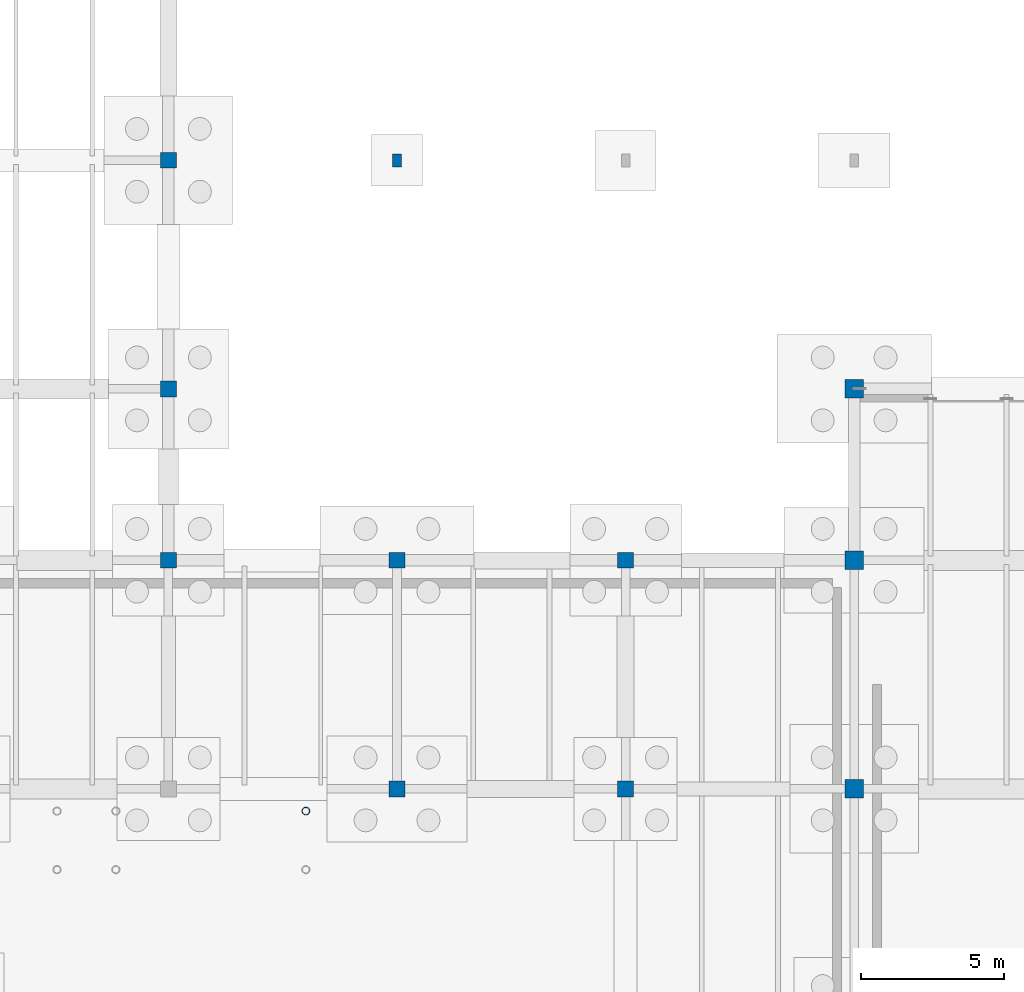
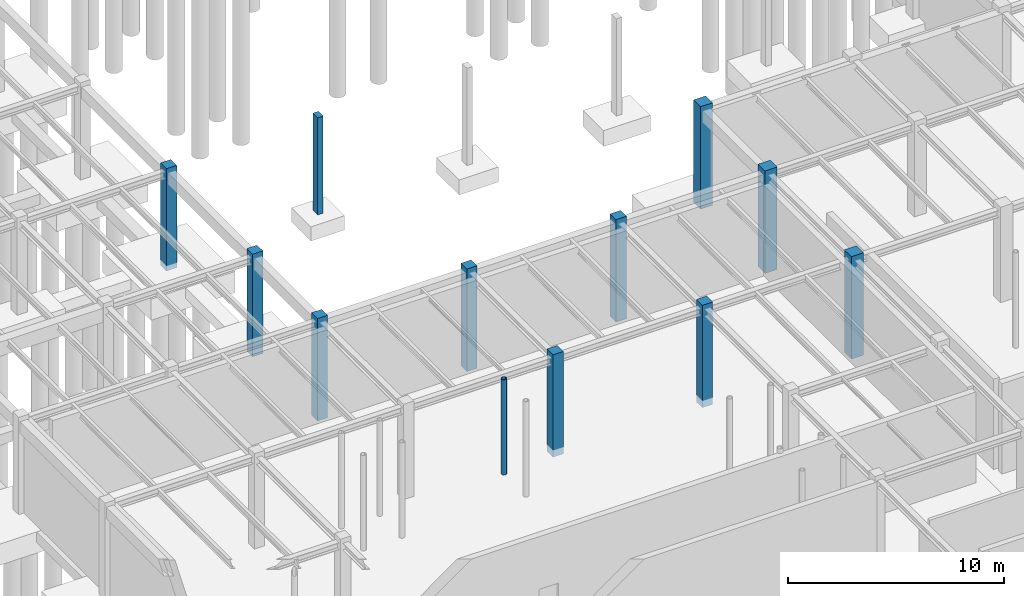
# One storey, part 17 of 71: 12 columns.
"""IFC4 building model written with IfcOpenShell, lengths in metres."""

from ifc_helpers import new_model, si_unit, direction, frame, origin, origin_2d, place, context, subcontext, project, spatial, rectangle, hollow_circle, extrude, material, material_profile, profile_set, type_object, element, save


model = new_model("IFC4")

# Units and contexts
model_context = context("Model", 3, precision=1e-05, world=origin(), true_north=direction((0.0, 1.0)))
body_context = subcontext(model_context, "Body", "Model", "MODEL_VIEW")
ifc_project = project(units=[si_unit("LENGTHUNIT", "METRE"), si_unit("AREAUNIT", "SQUARE_METRE"), si_unit("VOLUMEUNIT", "CUBIC_METRE"), si_unit("PLANEANGLEUNIT", "RADIAN"), si_unit("MASSUNIT", "GRAM", prefix="KILO")], contexts=[model_context])

# Site, building, storey
site_placement = place(None, origin())
site = spatial("IfcSite", under=ifc_project, at=site_placement, CompositionType="ELEMENT")
building_placement = place(site_placement, origin())
building = spatial("IfcBuilding", under=site, at=building_placement, Name="Sundkrona Museum", CompositionType="ELEMENT")
storey_placement = place(building_placement, frame((0.0, 0.0, -5.39990234375)))
storey = spatial("IfcBuildingStorey", under=building, at=storey_placement, Name="B1", CompositionType="ELEMENT", Elevation=-5.39990234375)

# Columns
ifc_material_1 = material(Name="Steel S355J2", Category="steel")
ifc_material_profile_1 = material_profile(ifc_material_1, hollow_circle(Radius=0.136474609375, WallThickness=0.012451171875, at=origin_2d()), Name="CHS 273.0x12.5")
ifc_profile_set_1 = profile_set([ifc_material_profile_1], Name="Steel S355J2")
column_type_1 = type_object("IfcColumnType", Name="C-CHS273", PredefinedType="COLUMN", material=ifc_profile_set_1)
column_1_placement = place(storey_placement, frame((100.81005859375, 31.22509765625, 0.0), z_axis=(0.0, 0.0, 1.0), x_axis=(1.0, 0.0, 0.0)))
element("IfcColumn", 1, at=column_1_placement, inside=storey, type_object=column_type_1, Name="B1 Feature Stair FS-3 Column S3-2", PredefinedType="COLUMN", context=body_context, shape_type="SweptSolid", body=[
    extrude(hollow_circle(Radius=0.136474609375, WallThickness=0.012451171875, at=origin_2d()), origin(), (0.0, 0.0, 1.0), 5.39990234375),
])
ifc_material_2 = material(Name="Concrete C40/50", Category="concrete")
ifc_material_profile_2 = material_profile(ifc_material_2, rectangle(XDim=0.550048828125, YDim=0.550048828125, at=origin_2d()), Name="RC 550x550")
ifc_profile_set_2 = profile_set([ifc_material_profile_2], Name="Concrete C40/50")
column_type_2 = type_object("IfcColumnType", Name="C-RC550", PredefinedType="COLUMN", material=ifc_profile_set_2)
for number, where, z_axis, x_axis, name in (
    (2, (96.0, 40.0, -0.400146484375), (0.0, 0.0, 1.0), (1.0, 0.0, 0.0), "B1 Column F/13"),
    (3, (96.0, 46.0, -0.400146484375), (0.0, 0.0, 1.0), (1.0, 0.0, 0.0), "B1 Column G/13"),
    (4, (96.0, 54.0, -0.400146484375), (0.0, 0.0, 1.0), (1.0, 0.0, 0.0), "B1 Column H/13"),
    (5, (104.0, 32.0, -0.400146484375), (0.0, 0.0, 1.0), (1.0, 0.0, 0.0), "B1 Column E/14"),
    (6, (104.0, 40.0, -0.400146484375), (0.0, 0.0, 1.0), (1.0, 0.0, 0.0), "B1 Column F/14"),
    (7, (112.0, 32.0, -0.400146484375), (0.0, 0.0, 1.0), (1.0, 0.0, 0.0), "B1 Column E/15"),
    (8, (112.0, 40.0, -0.400146484375), (0.0, 0.0, 1.0), (1.0, 0.0, 0.0), "B1 Column F/15"),
):
    element("IfcColumn", number, at=place(storey_placement, frame(where, z_axis=z_axis, x_axis=x_axis)), inside=storey, type_object=column_type_2, Name=name, PredefinedType="COLUMN", context=body_context, shape_type="SweptSolid", body=[
        extrude(rectangle(XDim=0.550048828125, YDim=0.550048828125, at=origin_2d()), origin(), (0.0, 0.0, 1.0), 5.800048828125),
    ])
ifc_material_profile_3 = material_profile(ifc_material_2, rectangle(XDim=0.64990234375, YDim=0.64990234375, at=origin_2d()), Name="RC 650x650")
ifc_profile_set_3 = profile_set([ifc_material_profile_3], Name="Concrete C40/50")
column_type_3 = type_object("IfcColumnType", Name="C-RC650", PredefinedType="COLUMN", material=ifc_profile_set_3)
for number, where, z_axis, x_axis, name in (
    (9, (120.0, 32.0, -0.400146484375), (0.0, 0.0, 1.0), (1.0, 0.0, 0.0), "B1 Column E/16"),
    (10, (120.0, 40.0, -0.400146484375), (0.0, 0.0, 1.0), (1.0, 0.0, 0.0), "B1 Column F/16"),
    (11, (120.0, 46.0, -0.400146484375), (0.0, 0.0, 1.0), (1.0, 0.0, 0.0), "B1 Column G/16"),
):
    element("IfcColumn", number, at=place(storey_placement, frame(where, z_axis=z_axis, x_axis=x_axis)), inside=storey, type_object=column_type_3, Name=name, PredefinedType="COLUMN", context=body_context, shape_type="SweptSolid", body=[
        extrude(rectangle(XDim=0.64990234375, YDim=0.64990234375, at=origin_2d()), origin(), (0.0, 0.0, 1.0), 5.800048828125),
    ])
ifc_material_profile_4 = material_profile(ifc_material_2, rectangle(XDim=0.300048828125, YDim=0.449951171875, at=origin_2d()), Name="RC 450x300")
ifc_profile_set_4 = profile_set([ifc_material_profile_4], Name="Concrete C40/50")
column_type_4 = type_object("IfcColumnType", Name="PIL-450", PredefinedType="PILASTER", material=ifc_profile_set_4)
column_2_placement = place(storey_placement, frame((104.0, 54.0, -0.10009765625), z_axis=(0.0, 0.0, 1.0), x_axis=(1.0, 0.0, 0.0)))
element("IfcColumn", 12, at=column_2_placement, inside=storey, type_object=column_type_4, Name="Arcade Foundation Pier PF-SC-01", PredefinedType="PILASTER", context=body_context, shape_type="SweptSolid", body=[
    extrude(rectangle(XDim=0.300048828125, YDim=0.449951171875, at=origin_2d()), origin(), (0.0, 0.0, 1.0), 5.5),
])

save(model, "model.ifc")
